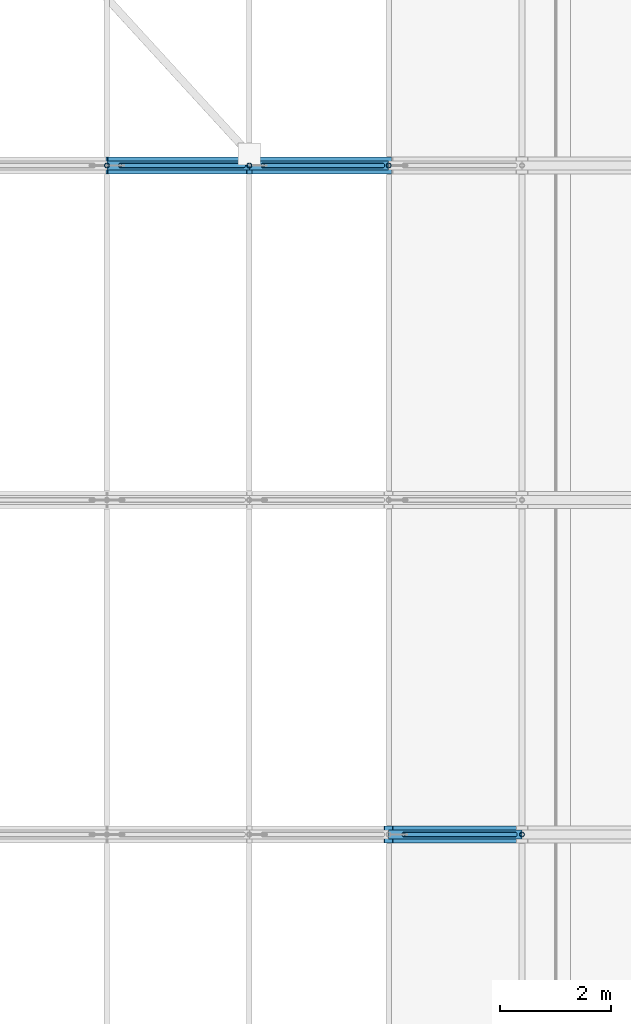
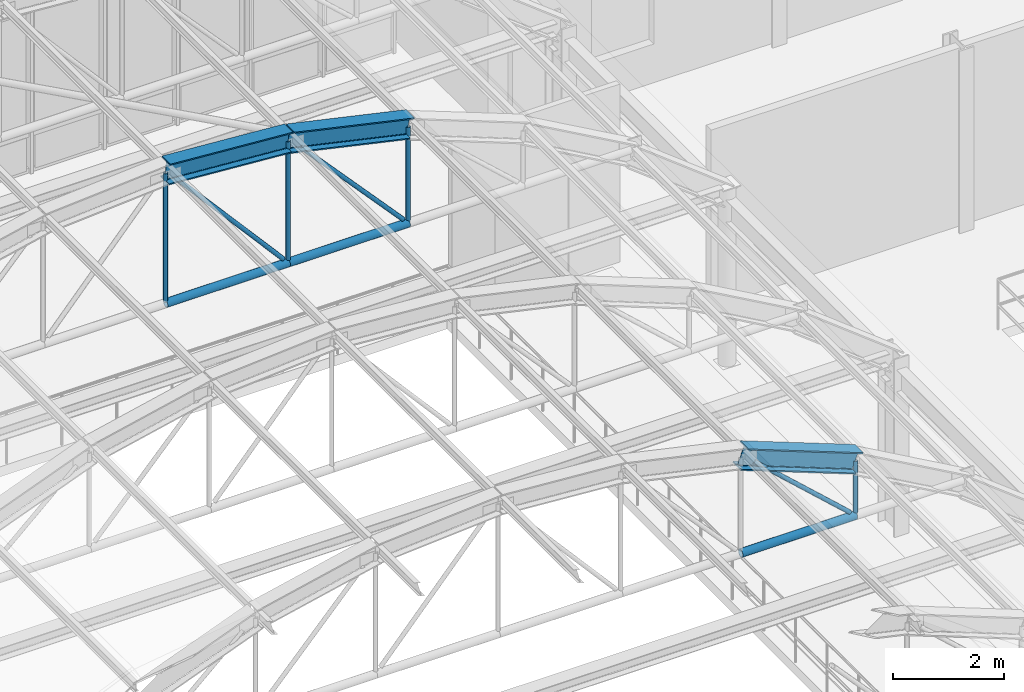
# One storey, part 49 of 148: 10 members, 3 beams.
"""IFC4 building model written with IfcOpenShell, lengths in metres."""

from ifc_helpers import new_model, si_unit, direction, frame, origin, origin_2d, place, context, subcontext, project, spatial, hollow_circle, i_section, extrude, material, material_profile, profile_set, type_object, element, save


model = new_model("IFC4")

# Units and contexts
model_context = context("Model", 3, precision=1e-05, world=origin(), true_north=direction((0.0, 1.0)))
body_context = subcontext(model_context, "Body", "Model", "MODEL_VIEW")
ifc_project = project(units=[si_unit("LENGTHUNIT", "METRE"), si_unit("AREAUNIT", "SQUARE_METRE"), si_unit("VOLUMEUNIT", "CUBIC_METRE"), si_unit("PLANEANGLEUNIT", "RADIAN"), si_unit("MASSUNIT", "GRAM", prefix="KILO"), si_unit("THERMODYNAMICTEMPERATUREUNIT", "KELVIN"), si_unit("POWERUNIT", "WATT")], contexts=[model_context])

# Site, building, storey
site_placement = place(None, origin())
site = spatial("IfcSite", under=ifc_project, at=site_placement, CompositionType="ELEMENT")
building_placement = place(site_placement, origin())
building = spatial("IfcBuilding", under=site, at=building_placement, Name="Solvatero Civic Police Headquarters", CompositionType="ELEMENT")
storey_placement = place(building_placement, frame((0.0, 0.0, 5.10009765625)))
storey = spatial("IfcBuildingStorey", under=building, at=storey_placement, Name="L01", CompositionType="ELEMENT", Elevation=5.10009765625)

# Beams
ifc_material = material(Name="Steel S355", Category="steel")
ifc_material_profile_1 = material_profile(ifc_material, i_section(OverallWidth=0.300048828125, OverallDepth=0.449951171875, WebThickness=0.013916015625, FlangeThickness=0.02587890625, FilletRadius=0.027099609375, at=origin_2d()), Name="HEB 450")
ifc_profile_set_1 = profile_set([ifc_material_profile_1], Name="Steel S355")
beam_type = type_object("IfcBeamType", Name="BM-ST-HEB450", PredefinedType="BEAM", material=ifc_profile_set_1)
for number, where, z_axis, x_axis, name in (
    (1, (115.55517578125, 22.800048828125, 7.53955078125), (0.933355429458, 0.0, -0.358953537802), (0.0, 1.0, 0.0), "VLT1 Tied-Arch Vault Top Chord F4.8"),
    (2, (110.5, 34.800048828125, 8.31396484375), (0.997304549883, 0.0, -0.073373256584), (0.0, 1.0, 0.0), "VLT1 Tied-Arch Vault Top Chord F6.6"),
):
    element("IfcBeam", number, at=place(storey_placement, frame(where, z_axis=z_axis, x_axis=x_axis)), inside=storey, type_object=beam_type, Name=name, PredefinedType="BEAM", context=body_context, shape_type="SweptSolid", body=[
        extrude(i_section(OverallWidth=0.300048828125, OverallDepth=0.449951171875, WebThickness=0.013916015625, FlangeThickness=0.02587890625, FilletRadius=0.027099609375, at=origin_2d()), origin(), (0.0, 0.0, 1.0), 2.56201171875),
    ])
beam_placement = place(storey_placement, frame((113.05517578125, 34.800048828125, 8.1171875), z_axis=(0.975854055758, 0.0, -0.218423583574), x_axis=(0.0, 1.0, 0.0)))
element("IfcBeam", 3, at=beam_placement, inside=storey, type_object=beam_type, Name="VLT1 Tied-Arch Vault Top Chord F6.7", PredefinedType="BEAM", context=body_context, shape_type="SweptSolid", body=[
    extrude(i_section(OverallWidth=0.300048828125, OverallDepth=0.449951171875, WebThickness=0.013916015625, FlangeThickness=0.02587890625, FilletRadius=0.027099609375, at=origin_2d()), origin(), (0.0, 0.0, 1.0), 2.561767578125),
])

# Members
ifc_material_profile_2 = material_profile(ifc_material, hollow_circle(Radius=0.04443359375, WallThickness=0.00634765625, at=origin_2d()), Name="CHS 88.9x6.3")
ifc_profile_set_2 = profile_set([ifc_material_profile_2], Name="Steel S355")
member_type_1 = type_object("IfcMemberType", Name="MB-HNG-CHS89", PredefinedType="STRUT", material=ifc_profile_set_2)
member_1_placement = place(storey_placement, frame((117.828125, 22.800048828125, 5.49951171875), z_axis=(-0.739076960519, 0.0, 0.673620996132), x_axis=(0.0, -1.0, 0.0)))
element("IfcMember", 4, at=member_1_placement, inside=storey, type_object=member_type_1, Name="VLT1 Vault Truss Diagonal Web F4.7", PredefinedType="STRUT", context=body_context, shape_type="SweptSolid", body=[
    extrude(hollow_circle(Radius=0.04443359375, WallThickness=0.00634765625, at=origin_2d()), origin(), (0.0, 0.0, 1.0), 2.71533203125),
])
member_2_placement = place(storey_placement, frame((117.946533203125, 22.800048828125, 5.431640625), z_axis=(0.0, 0.0, 1.0), x_axis=(1.0, 0.0, 0.0)))
element("IfcMember", 5, at=member_2_placement, inside=storey, type_object=member_type_1, Name="VLT1 Vault Vertical Hanger F4.8", PredefinedType="STRUT", context=body_context, shape_type="SweptSolid", body=[
    extrude(hollow_circle(Radius=0.04443359375, WallThickness=0.00634765625, at=origin_2d()), origin(), (0.0, 0.0, 1.0), 1.169677734375),
])
member_3_placement = place(storey_placement, frame((112.949951171875, 34.800048828125, 5.51220703125), z_axis=(-0.657605371239, 0.0, 0.753362579186), x_axis=(0.0, -1.0, 0.0)))
element("IfcMember", 6, at=member_3_placement, inside=storey, type_object=member_type_1, Name="VLT1 Vault Truss Diagonal Web F6.5", PredefinedType="STRUT", context=body_context, shape_type="SweptSolid", body=[
    extrude(hollow_circle(Radius=0.04443359375, WallThickness=0.00634765625, at=origin_2d()), origin(), (0.0, 0.0, 1.0), 3.365478515625),
])
member_4_placement = place(storey_placement, frame((115.447265625, 34.800048828125, 5.509765625), z_axis=(-0.674096872288, 0.0, 0.73864294945), x_axis=(0.0, -1.0, 0.0)))
element("IfcMember", 7, at=member_4_placement, inside=storey, type_object=member_type_1, Name="VLT1 Vault Truss Diagonal Web F6.6", PredefinedType="STRUT", context=body_context, shape_type="SweptSolid", body=[
    extrude(hollow_circle(Radius=0.04443359375, WallThickness=0.00634765625, at=origin_2d()), origin(), (0.0, 0.0, 1.0), 3.1884765625),
])
member_5_placement = place(storey_placement, frame((110.5, 34.800048828125, 5.431640625), z_axis=(0.0, 0.0, 1.0), x_axis=(1.0, 0.0, 0.0)))
element("IfcMember", 8, at=member_5_placement, inside=storey, type_object=member_type_1, Name="VLT1 Vault Vertical Hanger F6.5", PredefinedType="STRUT", context=body_context, shape_type="SweptSolid", body=[
    extrude(hollow_circle(Radius=0.04443359375, WallThickness=0.00634765625, at=origin_2d()), origin(), (0.0, 0.0, 1.0), 2.837158203125),
])
member_6_placement = place(storey_placement, frame((113.05517578125, 34.800048828125, 5.431640625), z_axis=(0.0, 0.0, 1.0), x_axis=(1.0, 0.0, 0.0)))
element("IfcMember", 9, at=member_6_placement, inside=storey, type_object=member_type_1, Name="VLT1 Vault Vertical Hanger F6.6", PredefinedType="STRUT", context=body_context, shape_type="SweptSolid", body=[
    extrude(hollow_circle(Radius=0.04443359375, WallThickness=0.00634765625, at=origin_2d()), origin(), (0.0, 0.0, 1.0), 2.649169921875),
])
member_7_placement = place(storey_placement, frame((115.55517578125, 34.800048828125, 5.431640625), z_axis=(0.0, 0.0, 1.0), x_axis=(1.0, 0.0, 0.0)))
element("IfcMember", 10, at=member_7_placement, inside=storey, type_object=member_type_1, Name="VLT1 Vault Vertical Hanger F6.7", PredefinedType="STRUT", context=body_context, shape_type="SweptSolid", body=[
    extrude(hollow_circle(Radius=0.04443359375, WallThickness=0.00634765625, at=origin_2d()), origin(), (0.0, 0.0, 1.0), 2.08935546875),
])
ifc_material_profile_3 = material_profile(ifc_material, hollow_circle(Radius=0.084228515625, WallThickness=0.010009765625, at=origin_2d()), Name="CHS 168.3x10.0")
ifc_profile_set_3 = profile_set([ifc_material_profile_3], Name="Steel S355")
member_type_2 = type_object("IfcMemberType", Name="MB-TIE-CHS168", PredefinedType="CHORD", material=ifc_profile_set_3)
member_8_placement = place(storey_placement, frame((115.55517578125, 22.800048828125, 5.3916015625), z_axis=(1.0, 0.0, 0.0), x_axis=(0.0, 1.0, 0.0)))
element("IfcMember", 11, at=member_8_placement, inside=storey, type_object=member_type_2, Name="VLT1 Vault Horizontal Tie Chord F4.7", PredefinedType="CHORD", context=body_context, shape_type="SweptSolid", body=[
    extrude(hollow_circle(Radius=0.084228515625, WallThickness=0.010009765625, at=origin_2d()), origin(), (0.0, 0.0, 1.0), 2.391357421875),
])
member_9_placement = place(storey_placement, frame((110.5, 34.800048828125, 5.3916015625), z_axis=(1.0, 0.0, 0.0), x_axis=(0.0, 1.0, 0.0)))
element("IfcMember", 12, at=member_9_placement, inside=storey, type_object=member_type_2, Name="VLT1 Vault Horizontal Tie Chord F6.5", PredefinedType="CHORD", context=body_context, shape_type="SweptSolid", body=[
    extrude(hollow_circle(Radius=0.084228515625, WallThickness=0.010009765625, at=origin_2d()), origin(), (0.0, 0.0, 1.0), 2.55517578125),
])
member_10_placement = place(storey_placement, frame((113.05517578125, 34.800048828125, 5.3916015625), z_axis=(1.0, 0.0, 0.0), x_axis=(0.0, 1.0, 0.0)))
element("IfcMember", 13, at=member_10_placement, inside=storey, type_object=member_type_2, Name="VLT1 Vault Horizontal Tie Chord F6.6", PredefinedType="CHORD", context=body_context, shape_type="SweptSolid", body=[
    extrude(hollow_circle(Radius=0.084228515625, WallThickness=0.010009765625, at=origin_2d()), origin(), (0.0, 0.0, 1.0), 2.5),
])

save(model, "model.ifc")
